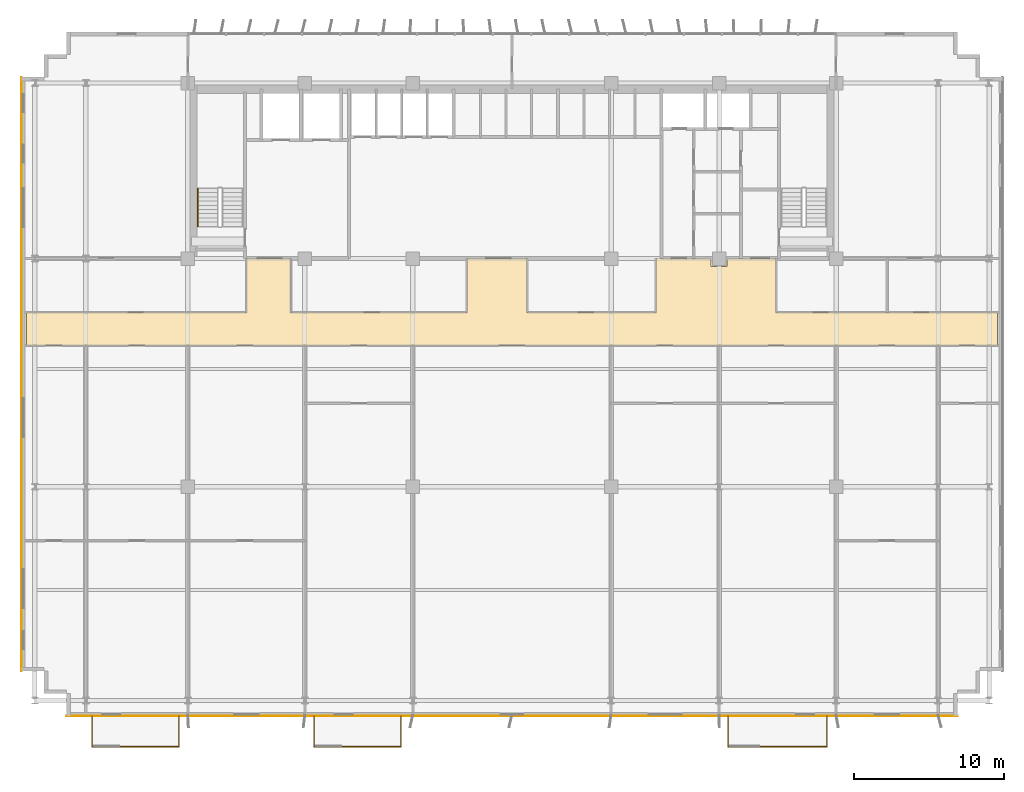
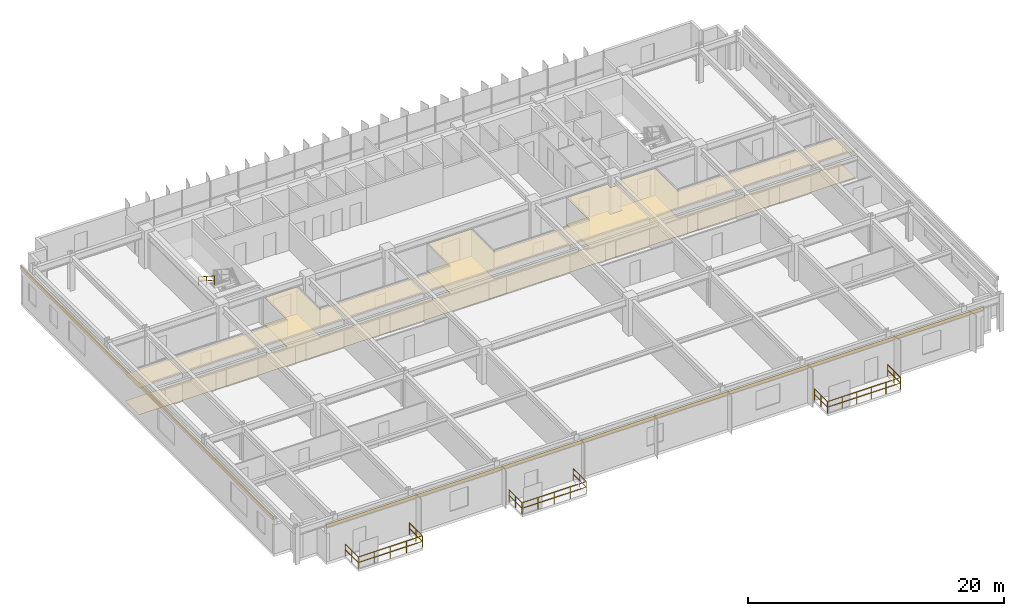
# One storey, part 19 of 21: 10 railings, 4 coverings.
"""IFC4 building model written with IfcOpenShell, lengths in metres."""

from ifc_helpers import new_model, si_unit, direction, frame, origin, origin_2d, place, context, subcontext, project, spatial, polyline, rectangle, outline, extrude, source, transform, mapped, material, layer, layer_set, type_object, element, save


model = new_model("IFC4")

# Units and contexts
model_context = context("Model", 3, precision=1e-05, world=origin(), true_north=direction((0.0, 1.0)))
body_context = subcontext(model_context, "Body", "Model", "MODEL_VIEW")
ifc_project = project(units=[si_unit("LENGTHUNIT", "METRE"), si_unit("AREAUNIT", "SQUARE_METRE"), si_unit("VOLUMEUNIT", "CUBIC_METRE"), si_unit("PLANEANGLEUNIT", "RADIAN"), si_unit("MASSUNIT", "GRAM", prefix="KILO")], contexts=[model_context])

# Site, building, storey
site_placement = place(None, origin())
site = spatial("IfcSite", under=ifc_project, at=site_placement, CompositionType="ELEMENT")
building_placement = place(site_placement, origin())
building = spatial("IfcBuilding", under=site, at=building_placement, Name="Trelvane Seafront Commons", CompositionType="ELEMENT")
storey_placement = place(building_placement, frame((0.0, 0.0, 34.300048828125)))
storey = spatial("IfcBuildingStorey", under=building, at=storey_placement, Name="L08", CompositionType="ELEMENT", Elevation=34.300048828125)

# Coverings
ifc_material_1 = material(Name="Acoustic Mineral Fibre Ceiling")
ifc_layer_1 = layer(ifc_material_1, 0.02490234375, Name="ARCH-COV-CEIL25")
ifc_layer_set_1 = layer_set([ifc_layer_1], Name="Acoustic Mineral Fibre Ceiling")
covering_type_1 = type_object("IfcCoveringType", Name="ARCH-COV-CEIL25", PredefinedType="CEILING", material=ifc_layer_set_1)
covering_1_placement = place(storey_placement, frame((0.0, 0.0, 2.550048828125)))
element("IfcCovering", 1, at=covering_1_placement, inside=storey, type_object=covering_type_1, Name="COV-CEIL-L08-06", PredefinedType="CEILING", context=body_context, shape_type="SweptSolid", body=[
    extrude(outline(polyline([(51.530029296875, 33.39990234375), (51.530029296875, 32.8701171875), (50.469970703125, 32.8701171875), (50.469970703125, 33.39990234375), (46.800048828125, 33.39990234375), (46.800048828125, 29.800048828125), (38.199951171875, 29.800048828125), (38.199951171875, 33.39990234375), (34.199951171875, 33.39990234375), (34.199951171875, 29.800048828125), (22.449951171875, 29.800048828125), (22.449951171875, 33.39990234375), (19.5, 33.39990234375), (19.5, 29.800048828125), (4.85009765625, 29.800048828125), (4.85009765625, 27.60009765625), (69.550048828125, 27.60009765625), (69.550048828125, 29.800048828125), (54.800048828125, 29.800048828125), (54.800048828125, 33.39990234375), (51.530029296875, 33.39990234375)])), origin(), (0.0, 0.0, 1.0), 0.02490234375),
])
ifc_material_2 = material(Name="Polished Terrazzo Finish")
ifc_layer_2 = layer(ifc_material_2, 0.02001953125, Name="ARCH-COV-FLOR20")
ifc_layer_set_2 = layer_set([ifc_layer_2], Name="Polished Terrazzo Finish")
covering_type_2 = type_object("IfcCoveringType", Name="ARCH-COV-FLOR20", PredefinedType="FLOORING", material=ifc_layer_set_2)
covering_2_placement = place(storey_placement, origin())
element("IfcCovering", 2, at=covering_2_placement, inside=storey, type_object=covering_type_2, Name="COV-FLOR-L08-06", PredefinedType="FLOORING", context=body_context, shape_type="SweptSolid", body=[
    extrude(outline(polyline([(51.530029296875, 33.39990234375), (51.530029296875, 32.8701171875), (50.469970703125, 32.8701171875), (50.469970703125, 33.39990234375), (46.800048828125, 33.39990234375), (46.800048828125, 29.800048828125), (38.199951171875, 29.800048828125), (38.199951171875, 33.39990234375), (34.199951171875, 33.39990234375), (34.199951171875, 29.800048828125), (22.449951171875, 29.800048828125), (22.449951171875, 33.39990234375), (19.5, 33.39990234375), (19.5, 29.800048828125), (4.85009765625, 29.800048828125), (4.85009765625, 27.60009765625), (69.550048828125, 27.60009765625), (69.550048828125, 29.800048828125), (54.800048828125, 29.800048828125), (54.800048828125, 33.39990234375), (51.530029296875, 33.39990234375)])), origin(), (0.0, 0.0, 1.0), 0.02001953125),
])

# Railings
ifc_material_3 = material(Name="Stainless steel balustrade", Category="steel")
railing_type_1 = type_object("IfcRailingType", Name="ARCH-RAIL-BAL1150", PredefinedType="BALUSTRADE", material=ifc_material_3)
railing_1_placement = place(storey_placement, frame((9.199951171875, 2.89990234375, 0.0)))
element("IfcRailing", 3, at=railing_1_placement, inside=storey, type_object=railing_type_1, Name="RL-L08-BAL0-01", PredefinedType="BALUSTRADE", context=body_context, shape_type="SweptSolid", body=[
    extrude(rectangle(XDim=0.048095703125, YDim=0.048095703125, at=origin_2d()), frame((0.0, 0.0, 1.1259765625), z_axis=(0.0, -1.0, 0.0), x_axis=(1.0, 0.0, 0.0)), (0.0, 0.0, 1.0), 2.039794921875),
    extrude(rectangle(XDim=0.048095703125, YDim=0.048095703125, at=origin_2d()), frame((0.0, 0.0, 0.597900390625), z_axis=(0.0, -1.0, 0.0), x_axis=(1.0, 0.0, 0.0)), (0.0, 0.0, 1.0), 2.039794921875),
    extrude(rectangle(XDim=0.0419921875, YDim=0.0419921875, at=origin_2d()), origin(), (0.0, 0.0, 1.0), 1.1259765625),
    extrude(rectangle(XDim=0.0419921875, YDim=0.0419921875, at=origin_2d()), frame((0.0, -1.02001953125, 0.0)), (0.0, 0.0, 1.0), 1.1259765625),
    extrude(rectangle(XDim=0.0419921875, YDim=0.0419921875, at=origin_2d()), frame((0.0, -2.039794921875, 0.0)), (0.0, 0.0, 1.0), 1.1259765625),
])
railing_2_placement = place(storey_placement, frame((9.199951171875, 0.860107421875, 0.0)))
element("IfcRailing", 4, at=railing_2_placement, inside=storey, type_object=railing_type_1, Name="RL-L08-BAL0-02", PredefinedType="BALUSTRADE", context=body_context, shape_type="SweptSolid", body=[
    extrude(rectangle(XDim=0.048095703125, YDim=0.048095703125, at=origin_2d()), frame((0.0, 0.0, 1.1259765625), z_axis=(1.0, 0.0, 0.0), x_axis=(0.0, 1.0, 0.0)), (0.0, 0.0, 1.0), 5.800048828125),
    extrude(rectangle(XDim=0.048095703125, YDim=0.048095703125, at=origin_2d()), frame((0.0, 0.0, 0.597900390625), z_axis=(1.0, 0.0, 0.0), x_axis=(0.0, 1.0, 0.0)), (0.0, 0.0, 1.0), 5.800048828125),
    extrude(rectangle(XDim=0.0419921875, YDim=0.0419921875, at=origin_2d()), origin(), (0.0, 0.0, 1.0), 1.1259765625),
    extrude(rectangle(XDim=0.0419921875, YDim=0.0419921875, at=origin_2d()), frame((1.449951171875, 0.0, 0.0)), (0.0, 0.0, 1.0), 1.1259765625),
    extrude(rectangle(XDim=0.0419921875, YDim=0.0419921875, at=origin_2d()), frame((2.89990234375, 0.0, 0.0)), (0.0, 0.0, 1.0), 1.1259765625),
    extrude(rectangle(XDim=0.0419921875, YDim=0.0419921875, at=origin_2d()), frame((4.35009765625, 0.0, 0.0)), (0.0, 0.0, 1.0), 1.1259765625),
    extrude(rectangle(XDim=0.0419921875, YDim=0.0419921875, at=origin_2d()), frame((5.800048828125, 0.0, 0.0)), (0.0, 0.0, 1.0), 1.1259765625),
])
railing_3_placement = place(storey_placement, frame((15.0, 0.860107421875, 0.0)))
element("IfcRailing", 5, at=railing_3_placement, inside=storey, type_object=railing_type_1, Name="RL-L08-BAL0-03", PredefinedType="BALUSTRADE", context=body_context, shape_type="SweptSolid", body=[
    extrude(rectangle(XDim=0.048095703125, YDim=0.048095703125, at=origin_2d()), frame((0.0, 0.0, 1.1259765625), z_axis=(0.0, 1.0, 0.0), x_axis=(-1.0, 0.0, 0.0)), (0.0, 0.0, 1.0), 2.039794921875),
    extrude(rectangle(XDim=0.048095703125, YDim=0.048095703125, at=origin_2d()), frame((0.0, 0.0, 0.597900390625), z_axis=(0.0, 1.0, 0.0), x_axis=(-1.0, 0.0, 0.0)), (0.0, 0.0, 1.0), 2.039794921875),
    extrude(rectangle(XDim=0.0419921875, YDim=0.0419921875, at=origin_2d()), origin(), (0.0, 0.0, 1.0), 1.1259765625),
    extrude(rectangle(XDim=0.0419921875, YDim=0.0419921875, at=origin_2d()), frame((0.0, 1.02001953125, 0.0)), (0.0, 0.0, 1.0), 1.1259765625),
    extrude(rectangle(XDim=0.0419921875, YDim=0.0419921875, at=origin_2d()), frame((0.0, 2.039794921875, 0.0)), (0.0, 0.0, 1.0), 1.1259765625),
])
railing_4_placement = place(storey_placement, frame((24.0, 2.89990234375, 0.0)))
element("IfcRailing", 6, at=railing_4_placement, inside=storey, type_object=railing_type_1, Name="RL-L08-BAL1-01", PredefinedType="BALUSTRADE", context=body_context, shape_type="SweptSolid", body=[
    extrude(rectangle(XDim=0.048095703125, YDim=0.048095703125, at=origin_2d()), frame((0.0, 0.0, 1.1259765625), z_axis=(0.0, -1.0, 0.0), x_axis=(1.0, 0.0, 0.0)), (0.0, 0.0, 1.0), 2.039794921875),
    extrude(rectangle(XDim=0.048095703125, YDim=0.048095703125, at=origin_2d()), frame((0.0, 0.0, 0.597900390625), z_axis=(0.0, -1.0, 0.0), x_axis=(1.0, 0.0, 0.0)), (0.0, 0.0, 1.0), 2.039794921875),
    extrude(rectangle(XDim=0.0419921875, YDim=0.0419921875, at=origin_2d()), origin(), (0.0, 0.0, 1.0), 1.1259765625),
    extrude(rectangle(XDim=0.0419921875, YDim=0.0419921875, at=origin_2d()), frame((0.0, -1.02001953125, 0.0)), (0.0, 0.0, 1.0), 1.1259765625),
    extrude(rectangle(XDim=0.0419921875, YDim=0.0419921875, at=origin_2d()), frame((0.0, -2.039794921875, 0.0)), (0.0, 0.0, 1.0), 1.1259765625),
])
railing_5_placement = place(storey_placement, frame((24.0, 0.860107421875, 0.0)))
element("IfcRailing", 7, at=railing_5_placement, inside=storey, type_object=railing_type_1, Name="RL-L08-BAL1-02", PredefinedType="BALUSTRADE", context=body_context, shape_type="SweptSolid", body=[
    extrude(rectangle(XDim=0.048095703125, YDim=0.048095703125, at=origin_2d()), frame((0.0, 0.0, 1.1259765625), z_axis=(1.0, 0.0, 0.0), x_axis=(0.0, 1.0, 0.0)), (0.0, 0.0, 1.0), 5.800048828125),
    extrude(rectangle(XDim=0.048095703125, YDim=0.048095703125, at=origin_2d()), frame((0.0, 0.0, 0.597900390625), z_axis=(1.0, 0.0, 0.0), x_axis=(0.0, 1.0, 0.0)), (0.0, 0.0, 1.0), 5.800048828125),
    extrude(rectangle(XDim=0.0419921875, YDim=0.0419921875, at=origin_2d()), origin(), (0.0, 0.0, 1.0), 1.1259765625),
    extrude(rectangle(XDim=0.0419921875, YDim=0.0419921875, at=origin_2d()), frame((1.449951171875, 0.0, 0.0)), (0.0, 0.0, 1.0), 1.1259765625),
    extrude(rectangle(XDim=0.0419921875, YDim=0.0419921875, at=origin_2d()), frame((2.89990234375, 0.0, 0.0)), (0.0, 0.0, 1.0), 1.1259765625),
    extrude(rectangle(XDim=0.0419921875, YDim=0.0419921875, at=origin_2d()), frame((4.35009765625, 0.0, 0.0)), (0.0, 0.0, 1.0), 1.1259765625),
    extrude(rectangle(XDim=0.0419921875, YDim=0.0419921875, at=origin_2d()), frame((5.800048828125, 0.0, 0.0)), (0.0, 0.0, 1.0), 1.1259765625),
])
railing_6_placement = place(storey_placement, frame((29.800048828125, 0.860107421875, 0.0)))
element("IfcRailing", 8, at=railing_6_placement, inside=storey, type_object=railing_type_1, Name="RL-L08-BAL1-03", PredefinedType="BALUSTRADE", context=body_context, shape_type="SweptSolid", body=[
    extrude(rectangle(XDim=0.048095703125, YDim=0.048095703125, at=origin_2d()), frame((0.0, 0.0, 1.1259765625), z_axis=(0.0, 1.0, 0.0), x_axis=(-1.0, 0.0, 0.0)), (0.0, 0.0, 1.0), 2.039794921875),
    extrude(rectangle(XDim=0.048095703125, YDim=0.048095703125, at=origin_2d()), frame((0.0, 0.0, 0.597900390625), z_axis=(0.0, 1.0, 0.0), x_axis=(-1.0, 0.0, 0.0)), (0.0, 0.0, 1.0), 2.039794921875),
    extrude(rectangle(XDim=0.0419921875, YDim=0.0419921875, at=origin_2d()), origin(), (0.0, 0.0, 1.0), 1.1259765625),
    extrude(rectangle(XDim=0.0419921875, YDim=0.0419921875, at=origin_2d()), frame((0.0, 1.02001953125, 0.0)), (0.0, 0.0, 1.0), 1.1259765625),
    extrude(rectangle(XDim=0.0419921875, YDim=0.0419921875, at=origin_2d()), frame((0.0, 2.039794921875, 0.0)), (0.0, 0.0, 1.0), 1.1259765625),
])
railing_7_placement = place(storey_placement, frame((51.60009765625, 2.89990234375, 0.0)))
element("IfcRailing", 9, at=railing_7_placement, inside=storey, type_object=railing_type_1, Name="RL-L08-BAL2-01", PredefinedType="BALUSTRADE", context=body_context, shape_type="SweptSolid", body=[
    extrude(rectangle(XDim=0.048095703125, YDim=0.048095703125, at=origin_2d()), frame((0.0, 0.0, 1.1259765625), z_axis=(0.0, -1.0, 0.0), x_axis=(1.0, 0.0, 0.0)), (0.0, 0.0, 1.0), 2.039794921875),
    extrude(rectangle(XDim=0.048095703125, YDim=0.048095703125, at=origin_2d()), frame((0.0, 0.0, 0.597900390625), z_axis=(0.0, -1.0, 0.0), x_axis=(1.0, 0.0, 0.0)), (0.0, 0.0, 1.0), 2.039794921875),
    extrude(rectangle(XDim=0.0419921875, YDim=0.0419921875, at=origin_2d()), origin(), (0.0, 0.0, 1.0), 1.1259765625),
    extrude(rectangle(XDim=0.0419921875, YDim=0.0419921875, at=origin_2d()), frame((0.0, -1.02001953125, 0.0)), (0.0, 0.0, 1.0), 1.1259765625),
    extrude(rectangle(XDim=0.0419921875, YDim=0.0419921875, at=origin_2d()), frame((0.0, -2.039794921875, 0.0)), (0.0, 0.0, 1.0), 1.1259765625),
])
railing_8_placement = place(storey_placement, frame((51.60009765625, 0.860107421875, 0.0)))
element("IfcRailing", 10, at=railing_8_placement, inside=storey, type_object=railing_type_1, Name="RL-L08-BAL2-02", PredefinedType="BALUSTRADE", context=body_context, shape_type="SweptSolid", body=[
    extrude(rectangle(XDim=0.048095703125, YDim=0.048095703125, at=origin_2d()), frame((0.0, 0.0, 1.1259765625), z_axis=(1.0, 0.0, 0.0), x_axis=(0.0, 1.0, 0.0)), (0.0, 0.0, 1.0), 6.599853515625),
    extrude(rectangle(XDim=0.048095703125, YDim=0.048095703125, at=origin_2d()), frame((0.0, 0.0, 0.597900390625), z_axis=(1.0, 0.0, 0.0), x_axis=(0.0, 1.0, 0.0)), (0.0, 0.0, 1.0), 6.599853515625),
    extrude(rectangle(XDim=0.0419921875, YDim=0.0419921875, at=origin_2d()), origin(), (0.0, 0.0, 1.0), 1.1259765625),
    extrude(rectangle(XDim=0.0419921875, YDim=0.0419921875, at=origin_2d()), frame((1.320068359375, 0.0, 0.0)), (0.0, 0.0, 1.0), 1.1259765625),
    extrude(rectangle(XDim=0.0419921875, YDim=0.0419921875, at=origin_2d()), frame((2.639892578125, 0.0, 0.0)), (0.0, 0.0, 1.0), 1.1259765625),
    extrude(rectangle(XDim=0.0419921875, YDim=0.0419921875, at=origin_2d()), frame((3.9599609375, 0.0, 0.0)), (0.0, 0.0, 1.0), 1.1259765625),
    extrude(rectangle(XDim=0.0419921875, YDim=0.0419921875, at=origin_2d()), frame((5.27978515625, 0.0, 0.0)), (0.0, 0.0, 1.0), 1.1259765625),
    extrude(rectangle(XDim=0.0419921875, YDim=0.0419921875, at=origin_2d()), frame((6.599853515625, 0.0, 0.0)), (0.0, 0.0, 1.0), 1.1259765625),
])
railing_9_placement = place(storey_placement, frame((58.199951171875, 0.860107421875, 0.0)))
element("IfcRailing", 11, at=railing_9_placement, inside=storey, type_object=railing_type_1, Name="RL-L08-BAL2-03", PredefinedType="BALUSTRADE", context=body_context, shape_type="SweptSolid", body=[
    extrude(rectangle(XDim=0.048095703125, YDim=0.048095703125, at=origin_2d()), frame((0.0, 0.0, 1.1259765625), z_axis=(0.0, 1.0, 0.0), x_axis=(-1.0, 0.0, 0.0)), (0.0, 0.0, 1.0), 2.039794921875),
    extrude(rectangle(XDim=0.048095703125, YDim=0.048095703125, at=origin_2d()), frame((0.0, 0.0, 0.597900390625), z_axis=(0.0, 1.0, 0.0), x_axis=(-1.0, 0.0, 0.0)), (0.0, 0.0, 1.0), 2.039794921875),
    extrude(rectangle(XDim=0.0419921875, YDim=0.0419921875, at=origin_2d()), origin(), (0.0, 0.0, 1.0), 1.1259765625),
    extrude(rectangle(XDim=0.0419921875, YDim=0.0419921875, at=origin_2d()), frame((0.0, 1.02001953125, 0.0)), (0.0, 0.0, 1.0), 1.1259765625),
    extrude(rectangle(XDim=0.0419921875, YDim=0.0419921875, at=origin_2d()), frame((0.0, 2.039794921875, 0.0)), (0.0, 0.0, 1.0), 1.1259765625),
])
railing_type_2 = type_object("IfcRailingType", Name="ARCH-SRL-HAND", PredefinedType="HANDRAIL", material=ifc_material_3)
railing_10_placement = place(storey_placement, frame((16.25, 38.070068359375, 1.97998046875)))
element("IfcRailing", 12, at=railing_10_placement, inside=storey, type_object=railing_type_2, Name="L08 ST-1 stair handrail 2", PredefinedType="HANDRAIL", context=body_context, shape_type="SweptSolid", body=[
    extrude(rectangle(XDim=0.048095703125, YDim=0.048095703125, at=origin_2d()), frame((0.0, 0.0, 0.8759765625), z_axis=(0.0, -0.841199657755, 0.540724639528), x_axis=(1.0, 0.0, 0.0)), (0.0, 0.0, 1.0), 2.995849609375),
    extrude(rectangle(XDim=0.048095703125, YDim=0.048095703125, at=origin_2d()), frame((0.0, 0.0, 0.468017578125), z_axis=(0.0, -0.841199657755, 0.540724639528), x_axis=(1.0, 0.0, 0.0)), (0.0, 0.0, 1.0), 2.995849609375),
    extrude(rectangle(XDim=0.0419921875, YDim=0.0419921875, at=origin_2d()), origin(), (0.0, 0.0, 1.0), 0.8759765625),
    extrude(rectangle(XDim=0.0419921875, YDim=0.0419921875, at=origin_2d()), frame((0.0, -1.260009765625, 0.81005859375)), (0.0, 0.0, 1.0), 0.8759765625),
    extrude(rectangle(XDim=0.0419921875, YDim=0.0419921875, at=origin_2d()), frame((0.0, -2.52001953125, 1.619873046875)), (0.0, 0.0, 1.0), 0.8759765625),
])

# Coverings
ifc_material_4 = material(Name="Anodised pale-silver aluminium", Category="aluminium")
ifc_layer_3 = layer(ifc_material_4, 0.034912109375, Name="ARCH-COV-CLAD35")
ifc_layer_set_3 = layer_set([ifc_layer_3], Name="Anodised pale-silver aluminium")
covering_type_3 = type_object("IfcCoveringType", Name="ARCH-COV-CLAD35", PredefinedType="CLADDING", material=ifc_layer_set_3)
shared_shape_1 = source(origin(), body_context, "Body", "SweptSolid", [
    extrude(rectangle(XDim=39.60009765625, YDim=0.034912109375, at=origin_2d()), origin(), (0.0, 0.0, 1.0), 0.300048828125),
])
covering_3_placement = place(storey_placement, frame((4.5, 25.699951171875, 3.2998046875), z_axis=(0.0, 0.0, 1.0), x_axis=(0.0, 1.0, 0.0)))
element("IfcCovering", 13, at=covering_3_placement, inside=storey, type_object=covering_type_3, Name="CLD-L08-00048", PredefinedType="CLADDING", context=body_context, shape_type="MappedRepresentation", body=[
    mapped(shared_shape_1, transform((0.0, 0.0, 0.0), x_axis=(1.0, 0.0, 0.0), y_axis=(0.0, 1.0, 0.0), z_axis=(0.0, 0.0, 1.0), scale=1.0)),
])
shared_shape_2 = source(origin(), body_context, "Body", "SweptSolid", [
    extrude(rectangle(XDim=59.39990234375, YDim=0.034912109375, at=origin_2d()), origin(), (0.0, 0.0, 1.0), 0.300048828125),
])
covering_4_placement = place(storey_placement, frame((37.199951171875, 2.89990234375, 3.2998046875), z_axis=(0.0, 0.0, 1.0), x_axis=(-1.0, 0.0, 0.0)))
element("IfcCovering", 14, at=covering_4_placement, inside=storey, type_object=covering_type_3, Name="CLD-L08-00050", PredefinedType="CLADDING", context=body_context, shape_type="MappedRepresentation", body=[
    mapped(shared_shape_2, transform((0.0, 0.0, 0.0), x_axis=(1.0, 0.0, 0.0), y_axis=(0.0, 1.0, 0.0), z_axis=(0.0, 0.0, 1.0), scale=1.0)),
])

save(model, "model.ifc")
